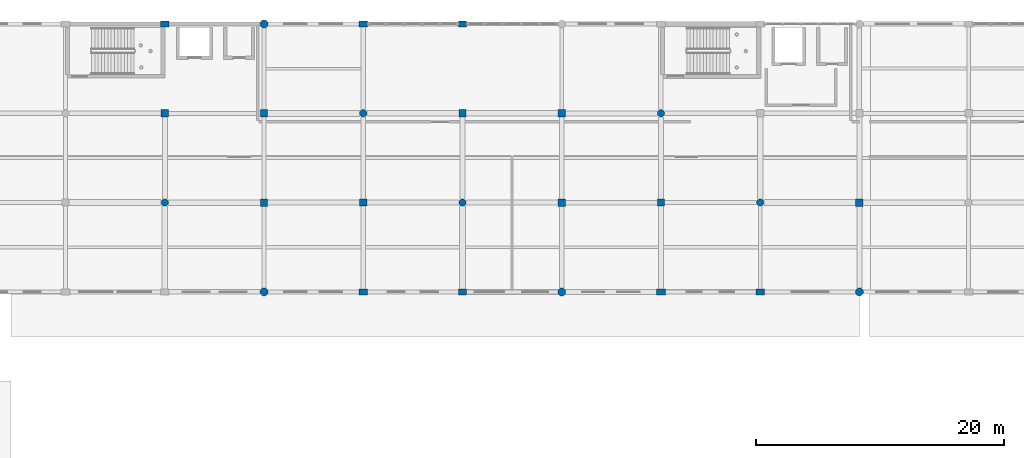
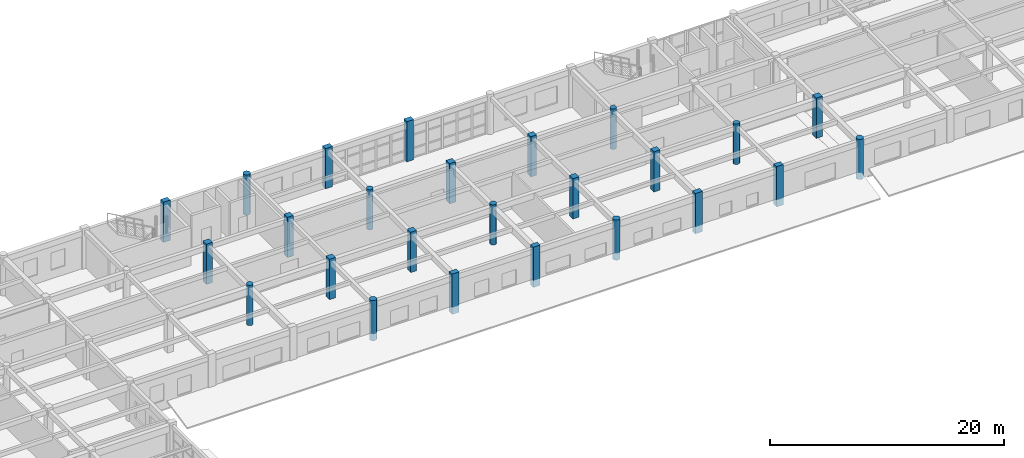
# One storey, part 3 of 121: 25 columns.
"""IFC4 building model written with IfcOpenShell, lengths in metres."""

from ifc_helpers import new_model, si_unit, direction, frame, origin, origin_2d, place, context, subcontext, project, spatial, rectangle, circle, extrude, material, material_profile, profile_set, type_object, element, save


model = new_model("IFC4")

# Units and contexts
model_context = context("Model", 3, precision=1e-05, world=origin(), true_north=direction((0.0, 1.0)))
body_context = subcontext(model_context, "Body", "Model", "MODEL_VIEW")
ifc_project = project(units=[si_unit("LENGTHUNIT", "METRE"), si_unit("AREAUNIT", "SQUARE_METRE"), si_unit("VOLUMEUNIT", "CUBIC_METRE"), si_unit("PLANEANGLEUNIT", "RADIAN"), si_unit("MASSUNIT", "GRAM", prefix="KILO")], contexts=[model_context])

# Site, building, storey
site_placement = place(None, origin())
site = spatial("IfcSite", under=ifc_project, at=site_placement, CompositionType="ELEMENT")
building_placement = place(site_placement, origin())
building = spatial("IfcBuilding", under=site, at=building_placement, Name="Kharva Crest Polytechnic", CompositionType="ELEMENT")
storey_placement = place(building_placement, frame((0.0, 0.0, 13.199951171875)))
storey = spatial("IfcBuildingStorey", under=building, at=storey_placement, Name="L03", CompositionType="ELEMENT", Elevation=13.199951171875)

# Columns
ifc_material = material(Name="Concrete C40/50", Category="concrete")
ifc_material_profile_1 = material_profile(ifc_material, rectangle(XDim=0.679931640625, YDim=0.5, at=origin_2d()), Name="RECT 680 X 500")
ifc_profile_set_1 = profile_set([ifc_material_profile_1], Name="Concrete C40/50")
column_type_1 = type_object("IfcColumnType", Name="COL-EXT-680X500", PredefinedType="COLUMN", material=ifc_profile_set_1)
for number, where, z_axis, x_axis, name in (
    (1, (88.0, 100.39990234375, 0.0), (0.0, 0.0, 1.0), (1.0, 0.0, 0.0), "L03 Column 12/P"),
    (2, (88.0, 122.0, 0.0), (0.0, 0.0, 1.0), (1.0, 0.0, 0.0), "L03 Column 12/S"),
    (3, (112.0, 100.39990234375, 0.0), (0.0, 0.0, 1.0), (1.0, 0.0, 0.0), "L03 Column 15/P"),
    (4, (64.0, 122.0, 0.0), (0.0, 0.0, 1.0), (1.0, 0.0, 0.0), "L03 Column 9/S"),
):
    element("IfcColumn", number, at=place(storey_placement, frame(where, z_axis=z_axis, x_axis=x_axis)), inside=storey, type_object=column_type_1, Name=name, PredefinedType="COLUMN", context=body_context, shape_type="SweptSolid", body=[
        extrude(rectangle(XDim=0.679931640625, YDim=0.5, at=origin_2d()), origin(), (0.0, 0.0, 1.0), 4.199951171875),
    ])
ifc_material_profile_2 = material_profile(ifc_material, rectangle(XDim=0.699951171875, YDim=0.5, at=origin_2d()), Name="RECT 700 X 500")
ifc_profile_set_2 = profile_set([ifc_material_profile_2], Name="Concrete C40/50")
column_type_2 = type_object("IfcColumnType", Name="COL-EXT-700X500", PredefinedType="COLUMN", material=ifc_profile_set_2)
for number, where, z_axis, x_axis, name in (
    (5, (80.0, 100.39990234375, 0.0), (0.0, 0.0, 1.0), (1.0, 0.0, 0.0), "L03 Column 11/P"),
    (6, (80.0, 122.0, 0.0), (0.0, 0.0, 1.0), (1.0, 0.0, 0.0), "L03 Column 11/S"),
    (7, (104.0, 100.39990234375, 0.0), (0.0, 0.0, 1.0), (1.0, 0.0, 0.0), "L03 Column 14/P"),
):
    element("IfcColumn", number, at=place(storey_placement, frame(where, z_axis=z_axis, x_axis=x_axis)), inside=storey, type_object=column_type_2, Name=name, PredefinedType="COLUMN", context=body_context, shape_type="SweptSolid", body=[
        extrude(rectangle(XDim=0.699951171875, YDim=0.5, at=origin_2d()), origin(), (0.0, 0.0, 1.0), 4.199951171875),
    ])
ifc_material_profile_3 = material_profile(ifc_material, circle(Radius=0.320068359375, at=origin_2d()), Name="DIA 640")
ifc_profile_set_3 = profile_set([ifc_material_profile_3], Name="Concrete C40/50")
column_type_3 = type_object("IfcColumnType", Name="COL-EXT-DIA640", PredefinedType="COLUMN", material=ifc_profile_set_3)
for number, where, z_axis, x_axis, name in (
    (8, (72.0, 100.39990234375, 0.0), (0.0, 0.0, 1.0), (1.0, 0.0, 0.0), "L03 Column 10/P"),
    (9, (72.0, 122.0, 0.0), (0.0, 0.0, 1.0), (1.0, 0.0, 0.0), "L03 Column 10/S"),
    (10, (96.0, 100.39990234375, 0.0), (0.0, 0.0, 1.0), (1.0, 0.0, 0.0), "L03 Column 13/P"),
    (11, (120.0, 100.39990234375, 0.0), (0.0, 0.0, 1.0), (1.0, 0.0, 0.0), "L03 Column 16/P"),
):
    element("IfcColumn", number, at=place(storey_placement, frame(where, z_axis=z_axis, x_axis=x_axis)), inside=storey, type_object=column_type_3, Name=name, PredefinedType="COLUMN", context=body_context, shape_type="SweptSolid", body=[
        extrude(circle(Radius=0.320068359375, at=origin_2d()), origin(), (0.0, 0.0, 1.0), 4.199951171875),
    ])
ifc_material_profile_4 = material_profile(ifc_material, rectangle(XDim=0.580078125, YDim=0.580078125, at=origin_2d()), Name="RECT 580 X 580")
ifc_profile_set_4 = profile_set([ifc_material_profile_4], Name="Concrete C40/50")
column_type_4 = type_object("IfcColumnType", Name="COL-INT-580X580", PredefinedType="COLUMN", material=ifc_profile_set_4)
for number, where, z_axis, x_axis, name in (
    (12, (72.0, 114.800048828125, 0.0), (0.0, 0.0, 1.0), (1.0, 0.0, 0.0), "L03 Column 10/R"),
    (13, (80.0, 107.60009765625, 0.0), (0.0, 0.0, 1.0), (1.0, 0.0, 0.0), "L03 Column 11/Q"),
    (14, (96.0, 114.800048828125, 0.0), (0.0, 0.0, 1.0), (1.0, 0.0, 0.0), "L03 Column 13/R"),
    (15, (104.0, 107.60009765625, 0.0), (0.0, 0.0, 1.0), (1.0, 0.0, 0.0), "L03 Column 14/Q"),
):
    element("IfcColumn", number, at=place(storey_placement, frame(where, z_axis=z_axis, x_axis=x_axis)), inside=storey, type_object=column_type_4, Name=name, PredefinedType="COLUMN", context=body_context, shape_type="SweptSolid", body=[
        extrude(rectangle(XDim=0.580078125, YDim=0.580078125, at=origin_2d()), origin(), (0.0, 0.0, 1.0), 4.199951171875),
    ])
ifc_material_profile_5 = material_profile(ifc_material, rectangle(XDim=0.60009765625, YDim=0.60009765625, at=origin_2d()), Name="RECT 600 X 600")
ifc_profile_set_5 = profile_set([ifc_material_profile_5], Name="Concrete C40/50")
column_type_5 = type_object("IfcColumnType", Name="COL-INT-600X600", PredefinedType="COLUMN", material=ifc_profile_set_5)
for number, where, z_axis, x_axis, name in (
    (16, (72.0, 107.60009765625, 0.0), (0.0, 0.0, 1.0), (1.0, 0.0, 0.0), "L03 Column 10/Q"),
    (17, (88.0, 114.800048828125, 0.0), (0.0, 0.0, 1.0), (1.0, 0.0, 0.0), "L03 Column 12/R"),
    (18, (96.0, 107.60009765625, 0.0), (0.0, 0.0, 1.0), (1.0, 0.0, 0.0), "L03 Column 13/Q"),
    (19, (120.0, 107.60009765625, 0.0), (0.0, 0.0, 1.0), (1.0, 0.0, 0.0), "L03 Column 16/Q"),
    (20, (64.0, 114.800048828125, 0.0), (0.0, 0.0, 1.0), (1.0, 0.0, 0.0), "L03 Column 9/R"),
):
    element("IfcColumn", number, at=place(storey_placement, frame(where, z_axis=z_axis, x_axis=x_axis)), inside=storey, type_object=column_type_5, Name=name, PredefinedType="COLUMN", context=body_context, shape_type="SweptSolid", body=[
        extrude(rectangle(XDim=0.60009765625, YDim=0.60009765625, at=origin_2d()), origin(), (0.0, 0.0, 1.0), 4.199951171875),
    ])
ifc_material_profile_6 = material_profile(ifc_material, circle(Radius=0.2900390625, at=origin_2d()), Name="DIA 580")
ifc_profile_set_6 = profile_set([ifc_material_profile_6], Name="Concrete C40/50")
column_type_6 = type_object("IfcColumnType", Name="COL-INT-DIA580", PredefinedType="COLUMN", material=ifc_profile_set_6)
for number, where, z_axis, x_axis, name in (
    (21, (80.0, 114.800048828125, 0.0), (0.0, 0.0, 1.0), (1.0, 0.0, 0.0), "L03 Column 11/R"),
    (22, (88.0, 107.60009765625, 0.0), (0.0, 0.0, 1.0), (1.0, 0.0, 0.0), "L03 Column 12/Q"),
    (23, (104.0, 114.800048828125, 0.0), (0.0, 0.0, 1.0), (1.0, 0.0, 0.0), "L03 Column 14/R"),
    (24, (112.0, 107.60009765625, 0.0), (0.0, 0.0, 1.0), (1.0, 0.0, 0.0), "L03 Column 15/Q"),
    (25, (64.0, 107.60009765625, 0.0), (0.0, 0.0, 1.0), (1.0, 0.0, 0.0), "L03 Column 9/Q"),
):
    element("IfcColumn", number, at=place(storey_placement, frame(where, z_axis=z_axis, x_axis=x_axis)), inside=storey, type_object=column_type_6, Name=name, PredefinedType="COLUMN", context=body_context, shape_type="SweptSolid", body=[
        extrude(circle(Radius=0.2900390625, at=origin_2d()), origin(), (0.0, 0.0, 1.0), 4.199951171875),
    ])

save(model, "model.ifc")
